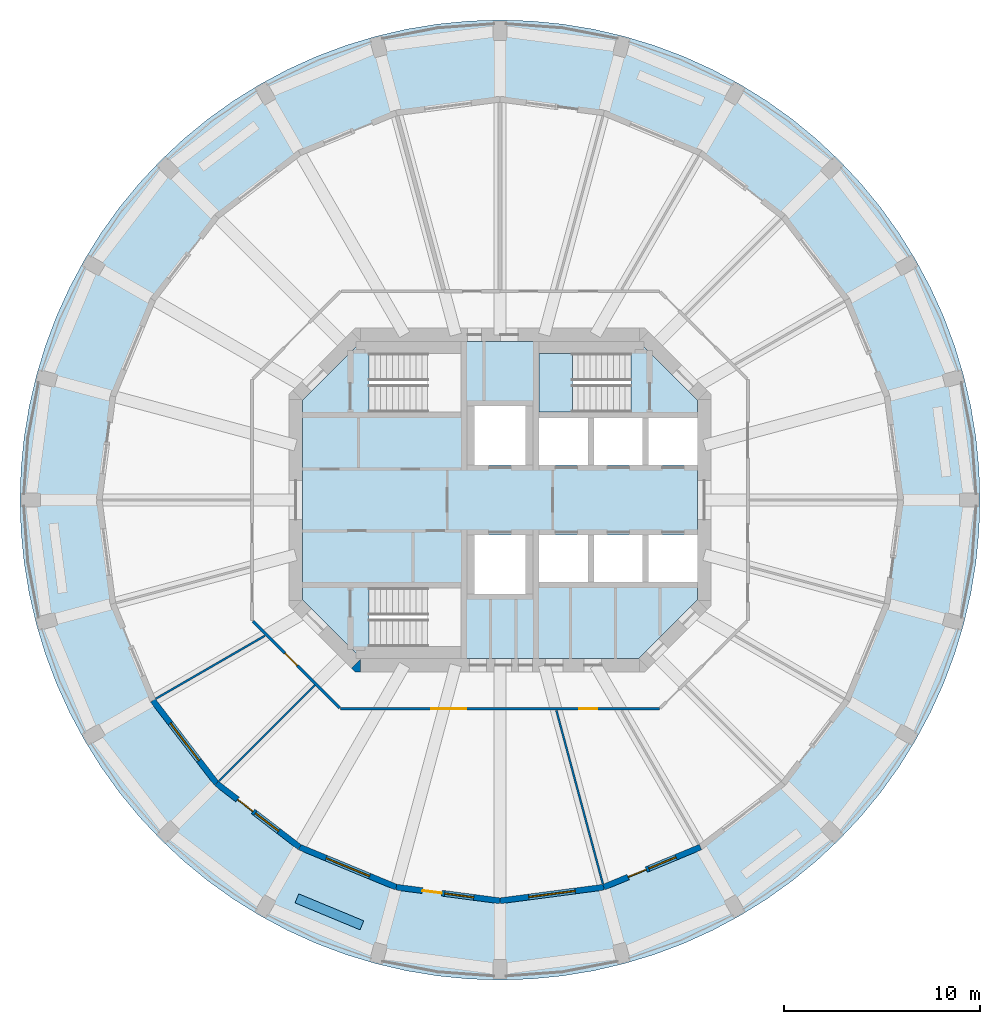
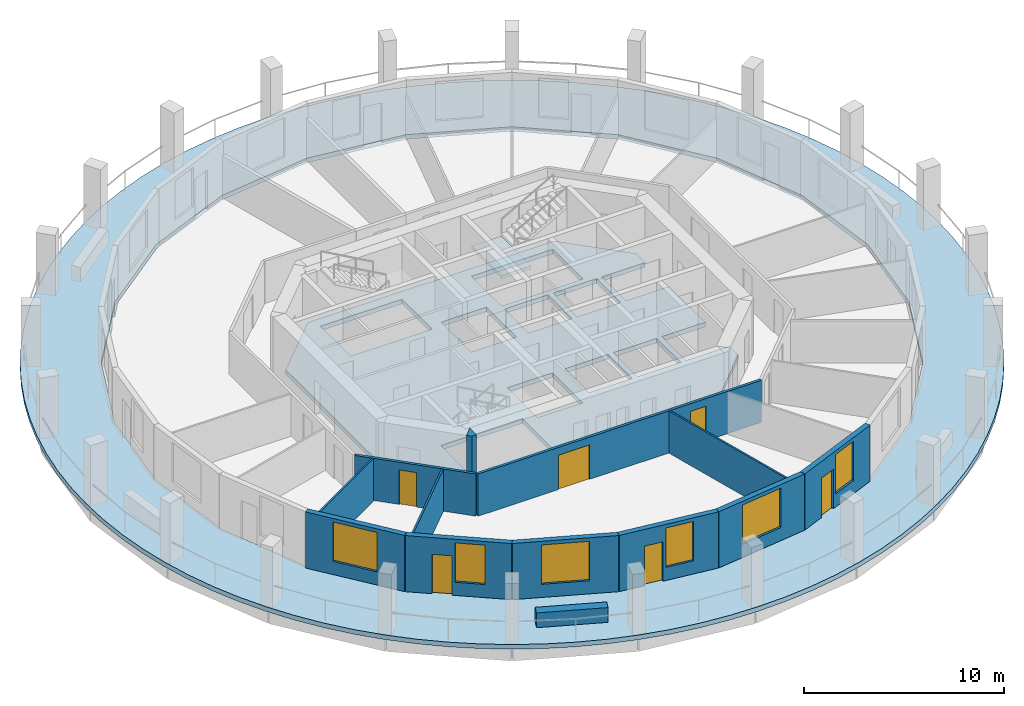
# One storey, part 2 of 9: 13 walls, 6 doors, 6 windows, 3 slabs, 12 openings, 1 element without a shape of its own.
"""IFC4 building model written with IfcOpenShell, lengths in metres."""

from ifc_helpers import new_model, si_unit, direction, frame, frame_2d, origin, place, context, subcontext, project, spatial, polyline, rectangle, outline, extrude, material, layer, layer_set, type_object, element, fill, aggregate, save


model = new_model("IFC4")

# Units and contexts
model_context = context("Model", 3, precision=1e-05, world=origin(), true_north=direction((0.0, 1.0)))
body_context = subcontext(model_context, "Body", "Model", "MODEL_VIEW")
ifc_project = project(units=[si_unit("LENGTHUNIT", "METRE"), si_unit("AREAUNIT", "SQUARE_METRE"), si_unit("VOLUMEUNIT", "CUBIC_METRE"), si_unit("PLANEANGLEUNIT", "RADIAN"), si_unit("MASSUNIT", "GRAM", prefix="KILO")], contexts=[model_context])

# Site, building, storey
site_placement = place(None, origin())
site = spatial("IfcSite", under=ifc_project, at=site_placement, CompositionType="ELEMENT")
building_placement = place(site_placement, origin())
building = spatial("IfcBuilding", under=site, at=building_placement, Name="Torre Triforio", CompositionType="ELEMENT")
storey_placement = place(building_placement, frame((0.0, 0.0, 229.800048828125)))
storey = spatial("IfcBuildingStorey", under=building, at=storey_placement, Name="L52", CompositionType="ELEMENT", Elevation=229.800048828125)

# Slabs
ifc_material_1 = material(Name="Concrete C50", Category="concrete")
ifc_layer_1 = layer(ifc_material_1, 0.280029296875)
ifc_layer_set_1 = layer_set([ifc_layer_1], Name="Concrete C50")
slab_type_1 = type_object("IfcSlabType", Name="Core floor slab 280 mm C50 REI 120", PredefinedType="FLOOR", material=ifc_layer_set_1)
slab_1_placement = place(storey_placement, frame((0.0, 0.0, -0.280029296875)))
element("IfcSlab", 1, at=slab_1_placement, inside=storey, type_object=slab_type_1, Name="Core floor slab", PredefinedType="FLOOR", context=body_context, shape_type="SweptSolid", body=[
    extrude(outline(polyline([(10.10009765625, -5.10009765625), (7.10009765625, -8.10009765625), (-7.10009765625, -8.10009765625), (-10.10009765625, -5.10009765625), (-10.10009765625, 5.10009765625), (-7.10009765625, 8.10009765625), (7.10009765625, 8.10009765625), (10.10009765625, 5.10009765625), (10.10009765625, 4.199951171875), (7.60009765625, 4.199951171875), (7.60009765625, 1.800048828125), (10.10009765625, 1.800048828125), (10.10009765625, -1.800048828125), (7.60009765625, -1.800048828125), (7.60009765625, -4.199951171875), (10.10009765625, -4.199951171875), (10.10009765625, -5.10009765625)]), holes=[polyline([(-6.696044921875, -4.5), (-6.696044921875, -7.5), (-2.0, -7.5), (-2.0, -4.5), (-6.696044921875, -4.5)]), polyline([(-1.300048828125, -1.800048828125), (-1.300048828125, -4.800048828125), (1.300048828125, -4.800048828125), (1.300048828125, -1.800048828125), (-1.300048828125, -1.800048828125)]), polyline([(2.0, -1.800048828125), (2.0, -4.199951171875), (4.5, -4.199951171875), (4.5, -1.800048828125), (2.0, -1.800048828125)]), polyline([(4.5, 4.199951171875), (2.0, 4.199951171875), (2.0, 1.800048828125), (4.5, 1.800048828125), (4.5, 4.199951171875)]), polyline([(1.300048828125, 4.800048828125), (-1.300048828125, 4.800048828125), (-1.300048828125, 1.800048828125), (1.300048828125, 1.800048828125), (1.300048828125, 4.800048828125)]), polyline([(-6.696044921875, 7.5), (-6.696044921875, 4.5), (-2.0, 4.5), (-2.0, 7.5), (-6.696044921875, 7.5)]), polyline([(7.300048828125, -1.800048828125), (4.800048828125, -1.800048828125), (4.800048828125, -4.199951171875), (7.300048828125, -4.199951171875), (7.300048828125, -1.800048828125)]), polyline([(4.800048828125, 4.199951171875), (4.800048828125, 1.800048828125), (7.300048828125, 1.800048828125), (7.300048828125, 4.199951171875), (4.800048828125, 4.199951171875)]), polyline([(6.696044921875, 7.5), (2.0, 7.5), (2.0, 4.5), (6.696044921875, 4.5), (6.696044921875, 7.5)])]), origin(), (0.0, 0.0, 1.0), 0.280029296875),
])
ifc_material_2 = material(Name="Concrete C40", Category="concrete")
ifc_layer_2 = layer(ifc_material_2, 0.280029296875)
ifc_layer_set_2 = layer_set([ifc_layer_2], Name="Concrete C40")
slab_type_2 = type_object("IfcSlabType", Name="Loggia slab 280 C40", PredefinedType="FLOOR", material=ifc_layer_set_2)
slab_2_placement = place(storey_placement, frame((0.0, 0.0, -0.280029296875)))
element("IfcSlab", 2, at=slab_2_placement, inside=storey, type_object=slab_type_2, Name="SL.L52.LG", PredefinedType="FLOOR", context=body_context, shape_type="SweptSolid", body=[
    extrude(outline(polyline([(24.49755859375, -1.605712890625), (24.550048828125, 0.0), (24.49755859375, 1.605712890625), (24.340087890625, 3.204345703125), (24.078369140625, 4.78955078125), (23.71337890625, 6.35400390625), (23.2470703125, 7.891357421875), (22.68115234375, 9.394775390625), (22.018310546875, 10.858154296875), (21.260986328125, 12.27490234375), (20.41259765625, 13.63916015625), (19.476806640625, 14.945068359375), (18.457763671875, 16.18701171875), (17.359375, 17.359375), (16.18701171875, 18.457763671875), (14.945068359375, 19.476806640625), (13.63916015625, 20.41259765625), (12.27490234375, 21.260986328125), (10.858154296875, 22.018310546875), (9.394775390625, 22.68115234375), (7.891357421875, 23.2470703125), (6.35400390625, 23.71337890625), (4.78955078125, 24.078369140625), (3.204345703125, 24.340087890625), (1.605712890625, 24.49755859375), (0.0, 24.550048828125), (-1.605712890625, 24.49755859375), (-3.204345703125, 24.340087890625), (-4.78955078125, 24.078369140625), (-6.35400390625, 23.71337890625), (-7.891357421875, 23.2470703125), (-9.394775390625, 22.68115234375), (-10.858154296875, 22.018310546875), (-12.27490234375, 21.260986328125), (-13.63916015625, 20.41259765625), (-14.945068359375, 19.476806640625), (-16.18701171875, 18.457763671875), (-17.359375, 17.359375), (-18.457763671875, 16.18701171875), (-19.476806640625, 14.945068359375), (-20.41259765625, 13.63916015625), (-21.260986328125, 12.27490234375), (-22.018310546875, 10.858154296875), (-22.68115234375, 9.394775390625), (-23.2470703125, 7.891357421875), (-23.71337890625, 6.35400390625), (-24.078369140625, 4.78955078125), (-24.340087890625, 3.204345703125), (-24.49755859375, 1.605712890625), (-24.550048828125, 0.0), (-24.49755859375, -1.605712890625), (-24.340087890625, -3.204345703125), (-24.078369140625, -4.78955078125), (-23.71337890625, -6.35400390625), (-23.2470703125, -7.891357421875), (-22.68115234375, -9.394775390625), (-22.018310546875, -10.858154296875), (-21.260986328125, -12.27490234375), (-20.41259765625, -13.63916015625), (-19.476806640625, -14.945068359375), (-18.457763671875, -16.18701171875), (-17.359375, -17.359375), (-16.18701171875, -18.457763671875), (-14.945068359375, -19.476806640625), (-13.63916015625, -20.41259765625), (-12.27490234375, -21.260986328125), (-10.858154296875, -22.018310546875), (-9.394775390625, -22.68115234375), (-7.891357421875, -23.2470703125), (-6.35400390625, -23.71337890625), (-4.78955078125, -24.078369140625), (-3.204345703125, -24.340087890625), (-1.605712890625, -24.49755859375), (0.0, -24.550048828125), (1.605712890625, -24.49755859375), (3.204345703125, -24.340087890625), (4.78955078125, -24.078369140625), (6.35400390625, -23.71337890625), (7.891357421875, -23.2470703125), (9.394775390625, -22.68115234375), (10.858154296875, -22.018310546875), (12.27490234375, -21.260986328125), (13.63916015625, -20.41259765625), (14.945068359375, -19.476806640625), (16.18701171875, -18.457763671875), (17.359375, -17.359375), (18.457763671875, -16.18701171875), (19.476806640625, -14.945068359375), (20.41259765625, -13.63916015625), (21.260986328125, -12.27490234375), (22.018310546875, -10.858154296875), (22.68115234375, -9.394775390625), (23.2470703125, -7.891357421875), (23.71337890625, -6.35400390625), (24.078369140625, -4.78955078125), (24.340087890625, -3.204345703125), (24.49755859375, -1.605712890625)]), holes=[polyline([(19.801513671875, 5.305908203125), (20.5, 0.0), (19.801513671875, -5.305908203125), (17.75341796875, -10.25), (14.49560546875, -14.49560546875), (10.25, -17.75341796875), (5.305908203125, -19.801513671875), (0.0, -20.5), (-5.305908203125, -19.801513671875), (-10.25, -17.75341796875), (-14.49560546875, -14.49560546875), (-17.75341796875, -10.25), (-19.801513671875, -5.305908203125), (-20.5, 0.0), (-19.801513671875, 5.305908203125), (-17.75341796875, 10.25), (-14.49560546875, 14.49560546875), (-10.25, 17.75341796875), (-5.305908203125, 19.801513671875), (0.0, 20.5), (5.305908203125, 19.801513671875), (10.25, 17.75341796875), (14.49560546875, 14.49560546875), (17.75341796875, 10.25), (19.801513671875, 5.305908203125)])]), origin(), (0.0, 0.0, 1.0), 0.280029296875),
])

# Stair, slab
stair_type = type_object("IfcStairType", Name="STAIR HALF-TURN", PredefinedType="HALF_TURN_STAIR", material=ifc_material_2)
stair_placement = place(storey_placement, origin())
stair = element("IfcStair", 3, at=stair_placement, inside=storey, type_object=stair_type, Name="Exit stair 2", PredefinedType="HALF_TURN_STAIR")
ifc_layer_3 = layer(ifc_material_2, 0.199951171875)
ifc_layer_set_3 = layer_set([ifc_layer_3], Name="Concrete C40")
slab_type_3 = type_object("IfcSlabType", Name="STAIR LANDING 200", PredefinedType="LANDING", material=ifc_layer_set_3)
slab_3_placement = place(storey_placement, frame((0.0, 0.0, 1.64990234375)))
slab_3 = element("IfcSlab", 4, at=slab_3_placement, type_object=slab_type_3, Name="ST2 landing 1", PredefinedType="LANDING", context=body_context, shape_type="SweptSolid", body=[
    extrude(outline(polyline([(3.699951171875, 4.5), (3.699951171875, 7.5), (2.0, 7.5), (2.0, 4.5), (3.699951171875, 4.5)])), origin(), (0.0, 0.0, 1.0), 0.199951171875),
])
aggregate(stair, [slab_3])

# Wall
ifc_layer_4 = layer(ifc_material_1, 0.699951171875)
ifc_layer_set_4 = layer_set([ifc_layer_4], Name="Concrete C50")
wall_type_1 = type_object("IfcWallType", Name="Core wall 700 mm C50 EI 120", PredefinedType="SHEAR", material=ifc_layer_set_4)
wall_1_placement = place(storey_placement, frame((0.0, 0.0, -0.280029296875)))
element("IfcWall", 5, at=wall_1_placement, inside=storey, type_object=wall_type_1, Name="Core wall", PredefinedType="SHEAR", context=body_context, shape_type="SweptSolid", body=[
    extrude(outline(polyline([(-7.389892578125, -8.800048828125), (-7.594970703125, -8.594970703125), (-7.594970703125, -8.594970703125), (-7.594970703125, -8.594970703125), (-7.1298828125, -8.1298828125), (-7.1298828125, -8.800048828125), (-7.1298828125, -8.800048828125), (-7.389892578125, -8.800048828125)])), origin(), (0.0, 0.0, 1.0), 3.699951171875),
])

# Wall, openings, doors
ifc_material_3 = material(Name="Plasterboard on metal studs")
ifc_layer_5 = layer(ifc_material_3, 0.14990234375)
ifc_layer_set_5 = layer_set([ifc_layer_5], Name="Plasterboard on metal studs")
wall_type_2 = type_object("IfcWallType", Name="Corridor and tenancy wall 150 mm EI 60", PredefinedType="PARTITIONING", material=ifc_layer_set_5)
wall_2_placement = place(storey_placement, frame((8.16650390625, -10.675048828125, 0.0), z_axis=(0.0, 0.0, 1.0), x_axis=(-1.0, 0.0, 0.0)))
wall_2 = element("IfcWall", 6, at=wall_2_placement, inside=storey, type_object=wall_type_2, Name="Partition 2", PredefinedType="PARTITIONING", context=body_context, shape_type="SweptSolid", body=[
    extrude(rectangle(XDim=16.3330078125, YDim=0.14990234375, at=frame_2d((8.16650390625, 0.0))), origin(), (0.0, 0.0, 1.0), 2.570068359375),
])
opening_1_placement = place(wall_2_placement, frame((9.893798828125, 0.0, 0.0)))
opening_1 = element("IfcOpeningElement", 7, at=opening_1_placement, cuts=wall_2, Name="Opening O7-05", PredefinedType="OPENING", context=body_context, shape_type="SweptSolid", body=[
    extrude(rectangle(XDim=1.800048828125, YDim=2.10009765625, at=frame_2d((0.89990234375, 1.050048828125))), frame((0.0, 0.0849609375, 0.0), z_axis=(0.0, -1.0, 0.0), x_axis=(1.0, 0.0, 0.0)), (0.0, 0.0, 1.0), 0.169921875),
])
opening_2_placement = place(wall_2_placement, frame((3.200927734375, 0.0, 0.0)))
opening_2 = element("IfcOpeningElement", 8, at=opening_2_placement, cuts=wall_2, Name="Opening O7-06", PredefinedType="OPENING", context=body_context, shape_type="SweptSolid", body=[
    extrude(rectangle(XDim=0.89990234375, YDim=2.10009765625, at=frame_2d((0.449951171875, 1.050048828125))), frame((0.0, 0.0849609375, 0.0), z_axis=(0.0, -1.0, 0.0), x_axis=(1.0, 0.0, 0.0)), (0.0, 0.0, 1.0), 0.169921875),
])
ifc_material_4 = material(Name="Timber", Category="wood")
door_type_1 = type_object("IfcDoorType", Name="Door 1800 x 2100 double leaf EI 30", OperationType="DOUBLE_DOOR_SINGLE_SWING", PredefinedType="DOOR", material=ifc_material_4)
door_1_placement = place(opening_1_placement, origin())
door_1 = element("IfcDoor", 9, at=door_1_placement, inside=storey, type_object=door_type_1, Name="Door O7-05", OperationType="DOUBLE_DOOR_SINGLE_SWING", OverallHeight=2.10009765625, OverallWidth=1.800048828125, PredefinedType="DOOR", context=body_context, shape_type="SweptSolid", body=[
    extrude(rectangle(XDim=1.800048828125, YDim=2.10009765625, at=frame_2d((0.89990234375, 1.050048828125))), frame((0.0, 0.02490234375, 0.0), z_axis=(0.0, -1.0, 0.0), x_axis=(1.0, 0.0, 0.0)), (0.0, 0.0, 1.0), 0.050048828125),
])
fill(opening_1, door_1)
door_type_2 = type_object("IfcDoorType", Name="Door 900 x 2100 single leaf EI 30", OperationType="NOTDEFINED", PredefinedType="DOOR", material=ifc_material_4)
door_2_placement = place(opening_2_placement, origin())
door_2 = element("IfcDoor", 10, at=door_2_placement, inside=storey, type_object=door_type_2, Name="Door O7-06", OperationType="SINGLE_SWING_LEFT", OverallHeight=2.10009765625, OverallWidth=0.89990234375, PredefinedType="DOOR", context=body_context, shape_type="SweptSolid", body=[
    extrude(rectangle(XDim=0.89990234375, YDim=2.10009765625, at=frame_2d((0.449951171875, 1.050048828125))), frame((0.0, 0.02490234375, 0.0), z_axis=(0.0, -1.0, 0.0), x_axis=(1.0, 0.0, 0.0)), (0.0, 0.0, 1.0), 0.050048828125),
])
fill(opening_2, door_2)

# Wall, opening, door
wall_3_placement = place(storey_placement, frame((-8.20361328125, -10.637939453125, 0.0), z_axis=(0.0, 0.0, 1.0), x_axis=(-0.707106781187, 0.707106781187, 0.0)))
wall_3 = element("IfcWall", 11, at=wall_3_placement, inside=storey, type_object=wall_type_2, Name="Partition 3", PredefinedType="PARTITIONING", context=body_context, shape_type="SweptSolid", body=[
    extrude(rectangle(XDim=6.27099609375, YDim=0.14990234375, at=frame_2d((3.135498046875, 0.0))), origin(), (0.0, 0.0, 1.0), 2.570068359375),
])
opening_3_placement = place(wall_3_placement, frame((3.056884765625, 0.0, 0.0)))
opening_3 = element("IfcOpeningElement", 12, at=opening_3_placement, cuts=wall_3, Name="Opening O7-04", PredefinedType="OPENING", context=body_context, shape_type="SweptSolid", body=[
    extrude(rectangle(XDim=0.89990234375, YDim=2.10009765625, at=frame_2d((0.449951171875, 1.050048828125))), frame((0.0, 0.0849609375, 0.0), z_axis=(0.0, -1.0, 0.0), x_axis=(1.0, 0.0, 0.0)), (0.0, 0.0, 1.0), 0.169921875),
])
door_3_placement = place(opening_3_placement, origin())
door_3 = element("IfcDoor", 13, at=door_3_placement, inside=storey, type_object=door_type_2, Name="Door O7-04", OperationType="SINGLE_SWING_LEFT", OverallHeight=2.10009765625, OverallWidth=0.89990234375, PredefinedType="DOOR", context=body_context, shape_type="SweptSolid", body=[
    extrude(rectangle(XDim=0.89990234375, YDim=2.10009765625, at=frame_2d((0.449951171875, 1.050048828125))), frame((0.0, 0.02490234375, 0.0), z_axis=(0.0, -1.0, 0.0), x_axis=(1.0, 0.0, 0.0)), (0.0, 0.0, 1.0), 0.050048828125),
])
fill(opening_3, door_3)

# Walls
ifc_layer_6 = layer(ifc_material_3, 0.10009765625)
ifc_layer_set_6 = layer_set([ifc_layer_6], Name="Plasterboard on metal studs")
wall_type_3 = type_object("IfcWallType", Name="Partition 100 mm board on metal studs", PredefinedType="PARTITIONING", material=ifc_layer_set_6)
wall_4_placement = place(storey_placement, frame((-12.025146484375, -6.94287109375, 0.0), z_axis=(0.0, 0.0, 1.0), x_axis=(-0.866026773083, -0.499997628298, 0.0)))
element("IfcWall", 14, at=wall_4_placement, inside=storey, type_object=wall_type_3, Name="Partition 20", PredefinedType="PARTITIONING", context=body_context, shape_type="SweptSolid", body=[
    extrude(rectangle(XDim=6.451171875, YDim=0.10009765625, at=frame_2d((3.2255859375, 0.0))), origin(), (0.0, 0.0, 1.0), 2.570068359375),
])
wall_5_placement = place(storey_placement, frame((-9.473876953125, -9.473876953125, 0.0), z_axis=(0.0, 0.0, 1.0), x_axis=(-0.707106781187, -0.707106781187, 0.0)))
element("IfcWall", 15, at=wall_5_placement, inside=storey, type_object=wall_type_3, Name="Partition 21", PredefinedType="PARTITIONING", context=body_context, shape_type="SweptSolid", body=[
    extrude(rectangle(XDim=6.9384765625, YDim=0.10009765625, at=frame_2d((3.46923828125, 0.0))), origin(), (0.0, 0.0, 1.0), 2.570068359375),
])
wall_6_placement = place(storey_placement, frame((2.88427734375, -10.764404296875, 0.0), z_axis=(0.0, 0.0, 1.0), x_axis=(0.258811310764, -0.965927898666, 0.0)))
element("IfcWall", 16, at=wall_6_placement, inside=storey, type_object=wall_type_3, Name="Partition 22", PredefinedType="PARTITIONING", context=body_context, shape_type="SweptSolid", body=[
    extrude(rectangle(XDim=9.192626953125, YDim=0.10009765625, at=frame_2d((4.59619140625, 0.0))), origin(), (0.0, 0.0, 1.0), 2.570068359375),
])
ifc_material_5 = material(Name="Limestone cladding", Category="masonry")
ifc_layer_7 = layer(ifc_material_5, 0.10009765625)
ifc_layer_8 = layer(ifc_material_2, 0.39990234375)
ifc_layer_set_7 = layer_set([ifc_layer_7, ifc_layer_8], Name="Limestone cladding / Concrete C40")
wall_type_4 = type_object("IfcWallType", Name="Planter wall 500", PredefinedType="PARAPET", material=ifc_layer_set_7)
wall_7_placement = place(storey_placement, frame((-10.38818359375, -20.37548828125, 0.0), z_axis=(0.0, 0.0, 1.0), x_axis=(0.923851510231, -0.38275107713, 0.0)))
element("IfcWall", 17, at=wall_7_placement, inside=storey, type_object=wall_type_4, Name="Planter L52 bay 17", PredefinedType="PARAPET", context=body_context, shape_type="SweptSolid", body=[
    extrude(rectangle(XDim=3.60009765625, YDim=0.5, at=frame_2d((1.800048828125, 0.0))), origin(), (0.0, 0.0, 1.0), 0.89990234375),
])

# Wall, opening, window
ifc_layer_9 = layer(ifc_material_5, 0.10009765625)
ifc_layer_10 = layer(ifc_material_2, 0.199951171875)
ifc_layer_set_8 = layer_set([ifc_layer_9, ifc_layer_10], Name="Limestone cladding / Concrete C40")
wall_type_5 = type_object("IfcWallType", Name="Stone-faced composite wall 300", PredefinedType="STANDARD", material=ifc_layer_set_8)
wall_8_placement = place(storey_placement, frame((-17.75341796875, -10.25, 0.0), z_axis=(0.0, 0.0, 1.0), x_axis=(0.60876670321, -0.793349293227, 0.0)))
wall_8 = element("IfcWall", 18, at=wall_8_placement, inside=storey, type_object=wall_type_5, Name="External wall L52 bay 15", PredefinedType="STANDARD", context=body_context, shape_type="SweptSolid", body=[
    extrude(rectangle(XDim=5.3515625, YDim=0.300048828125, at=frame_2d((2.67578125, 0.0))), origin(), (0.0, 0.0, 1.0), 3.419921875),
])
opening_4_placement = place(wall_8_placement, frame((1.475830078125, 0.0, 0.800048828125)))
opening_4 = element("IfcOpeningElement", 19, at=opening_4_placement, cuts=wall_8, Name="Opening O7-W15", PredefinedType="OPENING", context=body_context, shape_type="SweptSolid", body=[
    extrude(rectangle(XDim=2.39990234375, YDim=2.39990234375, at=frame_2d((1.199951171875, 1.199951171875))), frame((0.0, 0.159912109375, 0.0), z_axis=(0.0, -1.0, 0.0), x_axis=(1.0, 0.0, 0.0)), (0.0, 0.0, 1.0), 0.320068359375),
])
ifc_material_6 = material(Name="Aluminium frame with clear double glazing", Category="aluminium")
window_type_1 = type_object("IfcWindowType", Name="Punched window 2400 x 2400", PartitioningType="DOUBLE_PANEL_VERTICAL", PredefinedType="WINDOW", material=ifc_material_6)
window_1_placement = place(opening_4_placement, origin())
window_1 = element("IfcWindow", 20, at=window_1_placement, inside=storey, type_object=window_type_1, Name="Window EWN4 L52 bay 15", OverallHeight=2.39990234375, OverallWidth=2.39990234375, PartitioningType="SINGLE_PANEL", PredefinedType="WINDOW", context=body_context, shape_type="SweptSolid", body=[
    extrude(rectangle(XDim=2.39990234375, YDim=2.39990234375, at=frame_2d((1.199951171875, 1.199951171875))), frame((0.0, 0.030029296875, 0.0), z_axis=(0.0, -1.0, 0.0), x_axis=(1.0, 0.0, 0.0)), (0.0, 0.0, 1.0), 0.06005859375),
])
fill(opening_4, window_1)

# Wall, openings, door, window
wall_9_placement = place(storey_placement, frame((-14.49560546875, -14.49560546875, 0.0), z_axis=(0.0, 0.0, 1.0), x_axis=(0.793349293227, -0.60876670321, 0.0)))
wall_9 = element("IfcWall", 21, at=wall_9_placement, inside=storey, type_object=wall_type_5, Name="External wall L52 bay 16", PredefinedType="STANDARD", context=body_context, shape_type="SweptSolid", body=[
    extrude(rectangle(XDim=5.3515625, YDim=0.300048828125, at=frame_2d((2.67578125, 0.0))), origin(), (0.0, 0.0, 1.0), 3.419921875),
])
opening_5_placement = place(wall_9_placement, frame((1.350830078125, 0.0, 0.0)))
opening_5 = element("IfcOpeningElement", 22, at=opening_5_placement, cuts=wall_9, Name="Opening O7-D16", PredefinedType="OPENING", context=body_context, shape_type="SweptSolid", body=[
    extrude(rectangle(XDim=1.0, YDim=2.39990234375, at=frame_2d((0.5, 1.199951171875))), frame((0.0, 0.159912109375, 0.0), z_axis=(0.0, -1.0, 0.0), x_axis=(1.0, 0.0, 0.0)), (0.0, 0.0, 1.0), 0.320068359375),
])
opening_6_placement = place(wall_9_placement, frame((2.500732421875, 0.0, 0.800048828125)))
opening_6 = element("IfcOpeningElement", 23, at=opening_6_placement, cuts=wall_9, Name="Opening O7-W16A", PredefinedType="OPENING", context=body_context, shape_type="SweptSolid", body=[
    extrude(rectangle(XDim=1.5, YDim=2.39990234375, at=frame_2d((0.75, 1.199951171875))), frame((0.0, 0.159912109375, 0.0), z_axis=(0.0, -1.0, 0.0), x_axis=(1.0, 0.0, 0.0)), (0.0, 0.0, 1.0), 0.320068359375),
])
door_type_3 = type_object("IfcDoorType", Name="Loggia door 1000 x 2400", OperationType="NOTDEFINED", PredefinedType="DOOR", material=ifc_material_6)
door_4_placement = place(opening_5_placement, origin())
door_4 = element("IfcDoor", 24, at=door_4_placement, inside=storey, type_object=door_type_3, Name="Loggia door L52 bay 16", OperationType="SINGLE_SWING_LEFT", OverallHeight=2.39990234375, OverallWidth=1.0, PredefinedType="DOOR", context=body_context, shape_type="SweptSolid", body=[
    extrude(rectangle(XDim=1.0, YDim=2.39990234375, at=frame_2d((0.5, 1.199951171875))), frame((0.0, 0.02490234375, 0.0), z_axis=(0.0, -1.0, 0.0), x_axis=(1.0, 0.0, 0.0)), (0.0, 0.0, 1.0), 0.050048828125),
])
fill(opening_5, door_4)
window_type_2 = type_object("IfcWindowType", Name="Side window 1500 x 2400", PartitioningType="SINGLE_PANEL", PredefinedType="WINDOW", material=ifc_material_6)
window_2_placement = place(opening_6_placement, origin())
window_2 = element("IfcWindow", 25, at=window_2_placement, inside=storey, type_object=window_type_2, Name="Side window EWN14 L52 bay 16", OverallHeight=2.39990234375, OverallWidth=1.5, PartitioningType="SINGLE_PANEL", PredefinedType="WINDOW", context=body_context, shape_type="SweptSolid", body=[
    extrude(rectangle(XDim=1.5, YDim=2.39990234375, at=frame_2d((0.75, 1.199951171875))), frame((0.0, 0.030029296875, 0.0), z_axis=(0.0, -1.0, 0.0), x_axis=(1.0, 0.0, 0.0)), (0.0, 0.0, 1.0), 0.06005859375),
])
fill(opening_6, window_2)

# Wall, opening, window
wall_10_placement = place(storey_placement, frame((-10.25, -17.75341796875, 0.0), z_axis=(0.0, 0.0, 1.0), x_axis=(0.923867255172, -0.382713071139, 0.0)))
wall_10 = element("IfcWall", 26, at=wall_10_placement, inside=storey, type_object=wall_type_5, Name="External wall L52 bay 17", PredefinedType="STANDARD", context=body_context, shape_type="SweptSolid", body=[
    extrude(rectangle(XDim=5.3515625, YDim=0.300048828125, at=frame_2d((2.67578125, 0.0))), origin(), (0.0, 0.0, 1.0), 3.419921875),
])
opening_7_placement = place(wall_10_placement, frame((1.475830078125, 0.0, 0.800048828125)))
opening_7 = element("IfcOpeningElement", 27, at=opening_7_placement, cuts=wall_10, Name="Opening O7-W17", PredefinedType="OPENING", context=body_context, shape_type="SweptSolid", body=[
    extrude(rectangle(XDim=2.39990234375, YDim=2.39990234375, at=frame_2d((1.199951171875, 1.199951171875))), frame((0.0, 0.159912109375, 0.0), z_axis=(0.0, -1.0, 0.0), x_axis=(1.0, 0.0, 0.0)), (0.0, 0.0, 1.0), 0.320068359375),
])
window_3_placement = place(opening_7_placement, origin())
window_3 = element("IfcWindow", 28, at=window_3_placement, inside=storey, type_object=window_type_1, Name="Window EWN4 L52 bay 17", OverallHeight=2.39990234375, OverallWidth=2.39990234375, PartitioningType="SINGLE_PANEL", PredefinedType="WINDOW", context=body_context, shape_type="SweptSolid", body=[
    extrude(rectangle(XDim=2.39990234375, YDim=2.39990234375, at=frame_2d((1.199951171875, 1.199951171875))), frame((0.0, 0.030029296875, 0.0), z_axis=(0.0, -1.0, 0.0), x_axis=(1.0, 0.0, 0.0)), (0.0, 0.0, 1.0), 0.06005859375),
])
fill(opening_7, window_3)

# Wall, openings, door, window
wall_11_placement = place(storey_placement, frame((-5.305908203125, -19.801513671875, 0.0), z_axis=(0.0, 0.0, 1.0), x_axis=(0.991446064069, -0.130517056518, 0.0)))
wall_11 = element("IfcWall", 29, at=wall_11_placement, inside=storey, type_object=wall_type_5, Name="External wall L52 bay 18", PredefinedType="STANDARD", context=body_context, shape_type="SweptSolid", body=[
    extrude(rectangle(XDim=5.351806640625, YDim=0.300048828125, at=frame_2d((2.67578125, 0.0))), origin(), (0.0, 0.0, 1.0), 3.419921875),
])
opening_8_placement = place(wall_11_placement, frame((1.350830078125, 0.0, 0.0)))
opening_8 = element("IfcOpeningElement", 30, at=opening_8_placement, cuts=wall_11, Name="Opening O7-D18", PredefinedType="OPENING", context=body_context, shape_type="SweptSolid", body=[
    extrude(rectangle(XDim=1.0, YDim=2.39990234375, at=frame_2d((0.5, 1.199951171875))), frame((0.0, 0.159912109375, 0.0), z_axis=(0.0, -1.0, 0.0), x_axis=(1.0, 0.0, 0.0)), (0.0, 0.0, 1.0), 0.320068359375),
])
opening_9_placement = place(wall_11_placement, frame((2.500732421875, 0.0, 0.800048828125)))
opening_9 = element("IfcOpeningElement", 31, at=opening_9_placement, cuts=wall_11, Name="Opening O7-W18A", PredefinedType="OPENING", context=body_context, shape_type="SweptSolid", body=[
    extrude(rectangle(XDim=1.5, YDim=2.39990234375, at=frame_2d((0.75, 1.199951171875))), frame((0.0, 0.159912109375, 0.0), z_axis=(0.0, -1.0, 0.0), x_axis=(1.0, 0.0, 0.0)), (0.0, 0.0, 1.0), 0.320068359375),
])
door_5_placement = place(opening_8_placement, origin())
door_5 = element("IfcDoor", 32, at=door_5_placement, inside=storey, type_object=door_type_3, Name="Loggia door L52 bay 18", OperationType="SINGLE_SWING_LEFT", OverallHeight=2.39990234375, OverallWidth=1.0, PredefinedType="DOOR", context=body_context, shape_type="SweptSolid", body=[
    extrude(rectangle(XDim=1.0, YDim=2.39990234375, at=frame_2d((0.5, 1.199951171875))), frame((0.0, 0.02490234375, 0.0), z_axis=(0.0, -1.0, 0.0), x_axis=(1.0, 0.0, 0.0)), (0.0, 0.0, 1.0), 0.050048828125),
])
fill(opening_8, door_5)
window_4_placement = place(opening_9_placement, origin())
window_4 = element("IfcWindow", 33, at=window_4_placement, inside=storey, type_object=window_type_2, Name="Side window EWN14 L52 bay 18", OverallHeight=2.39990234375, OverallWidth=1.5, PartitioningType="SINGLE_PANEL", PredefinedType="WINDOW", context=body_context, shape_type="SweptSolid", body=[
    extrude(rectangle(XDim=1.5, YDim=2.39990234375, at=frame_2d((0.75, 1.199951171875))), frame((0.0, 0.030029296875, 0.0), z_axis=(0.0, -1.0, 0.0), x_axis=(1.0, 0.0, 0.0)), (0.0, 0.0, 1.0), 0.06005859375),
])
fill(opening_9, window_4)

# Wall, opening, window
wall_12_placement = place(storey_placement, frame((0.0, -20.5, 0.0), z_axis=(0.0, 0.0, 1.0), x_axis=(0.991446064069, 0.130517056518, 0.0)))
wall_12 = element("IfcWall", 34, at=wall_12_placement, inside=storey, type_object=wall_type_5, Name="External wall L52 bay 19", PredefinedType="STANDARD", context=body_context, shape_type="SweptSolid", body=[
    extrude(rectangle(XDim=5.351806640625, YDim=0.300048828125, at=frame_2d((2.67578125, 0.0))), origin(), (0.0, 0.0, 1.0), 3.419921875),
])
opening_10_placement = place(wall_12_placement, frame((1.475830078125, 0.0, 0.800048828125)))
opening_10 = element("IfcOpeningElement", 35, at=opening_10_placement, cuts=wall_12, Name="Opening O7-W19", PredefinedType="OPENING", context=body_context, shape_type="SweptSolid", body=[
    extrude(rectangle(XDim=2.39990234375, YDim=2.39990234375, at=frame_2d((1.199951171875, 1.199951171875))), frame((0.0, 0.159912109375, 0.0), z_axis=(0.0, -1.0, 0.0), x_axis=(1.0, 0.0, 0.0)), (0.0, 0.0, 1.0), 0.320068359375),
])
window_5_placement = place(opening_10_placement, origin())
window_5 = element("IfcWindow", 36, at=window_5_placement, inside=storey, type_object=window_type_1, Name="Window EWN4 L52 bay 19", OverallHeight=2.39990234375, OverallWidth=2.39990234375, PartitioningType="SINGLE_PANEL", PredefinedType="WINDOW", context=body_context, shape_type="SweptSolid", body=[
    extrude(rectangle(XDim=2.39990234375, YDim=2.39990234375, at=frame_2d((1.199951171875, 1.199951171875))), frame((0.0, 0.030029296875, 0.0), z_axis=(0.0, -1.0, 0.0), x_axis=(1.0, 0.0, 0.0)), (0.0, 0.0, 1.0), 0.06005859375),
])
fill(opening_10, window_5)

# Wall, openings, door, window
wall_13_placement = place(storey_placement, frame((5.305908203125, -19.801513671875, 0.0), z_axis=(0.0, 0.0, 1.0), x_axis=(0.923867255172, 0.382713071139, 0.0)))
wall_13 = element("IfcWall", 37, at=wall_13_placement, inside=storey, type_object=wall_type_5, Name="External wall L52 bay 20", PredefinedType="STANDARD", context=body_context, shape_type="SweptSolid", body=[
    extrude(rectangle(XDim=5.3515625, YDim=0.300048828125, at=frame_2d((2.67578125, 0.0))), origin(), (0.0, 0.0, 1.0), 3.419921875),
])
opening_11_placement = place(wall_13_placement, frame((1.350830078125, 0.0, 0.0)))
opening_11 = element("IfcOpeningElement", 38, at=opening_11_placement, cuts=wall_13, Name="Opening O7-D20", PredefinedType="OPENING", context=body_context, shape_type="SweptSolid", body=[
    extrude(rectangle(XDim=1.0, YDim=2.39990234375, at=frame_2d((0.5, 1.199951171875))), frame((0.0, 0.159912109375, 0.0), z_axis=(0.0, -1.0, 0.0), x_axis=(1.0, 0.0, 0.0)), (0.0, 0.0, 1.0), 0.320068359375),
])
opening_12_placement = place(wall_13_placement, frame((2.500732421875, 0.0, 0.800048828125)))
opening_12 = element("IfcOpeningElement", 39, at=opening_12_placement, cuts=wall_13, Name="Opening O7-W20A", PredefinedType="OPENING", context=body_context, shape_type="SweptSolid", body=[
    extrude(rectangle(XDim=1.5, YDim=2.39990234375, at=frame_2d((0.75, 1.199951171875))), frame((0.0, 0.159912109375, 0.0), z_axis=(0.0, -1.0, 0.0), x_axis=(1.0, 0.0, 0.0)), (0.0, 0.0, 1.0), 0.320068359375),
])
door_6_placement = place(opening_11_placement, origin())
door_6 = element("IfcDoor", 40, at=door_6_placement, inside=storey, type_object=door_type_3, Name="Loggia door L52 bay 20", OperationType="SINGLE_SWING_LEFT", OverallHeight=2.39990234375, OverallWidth=1.0, PredefinedType="DOOR", context=body_context, shape_type="SweptSolid", body=[
    extrude(rectangle(XDim=1.0, YDim=2.39990234375, at=frame_2d((0.5, 1.199951171875))), frame((0.0, 0.02490234375, 0.0), z_axis=(0.0, -1.0, 0.0), x_axis=(1.0, 0.0, 0.0)), (0.0, 0.0, 1.0), 0.050048828125),
])
fill(opening_11, door_6)
window_6_placement = place(opening_12_placement, origin())
window_6 = element("IfcWindow", 41, at=window_6_placement, inside=storey, type_object=window_type_2, Name="Side window EWN14 L52 bay 20", OverallHeight=2.39990234375, OverallWidth=1.5, PartitioningType="SINGLE_PANEL", PredefinedType="WINDOW", context=body_context, shape_type="SweptSolid", body=[
    extrude(rectangle(XDim=1.5, YDim=2.39990234375, at=frame_2d((0.75, 1.199951171875))), frame((0.0, 0.030029296875, 0.0), z_axis=(0.0, -1.0, 0.0), x_axis=(1.0, 0.0, 0.0)), (0.0, 0.0, 1.0), 0.06005859375),
])
fill(opening_12, window_6)

save(model, "model.ifc")
